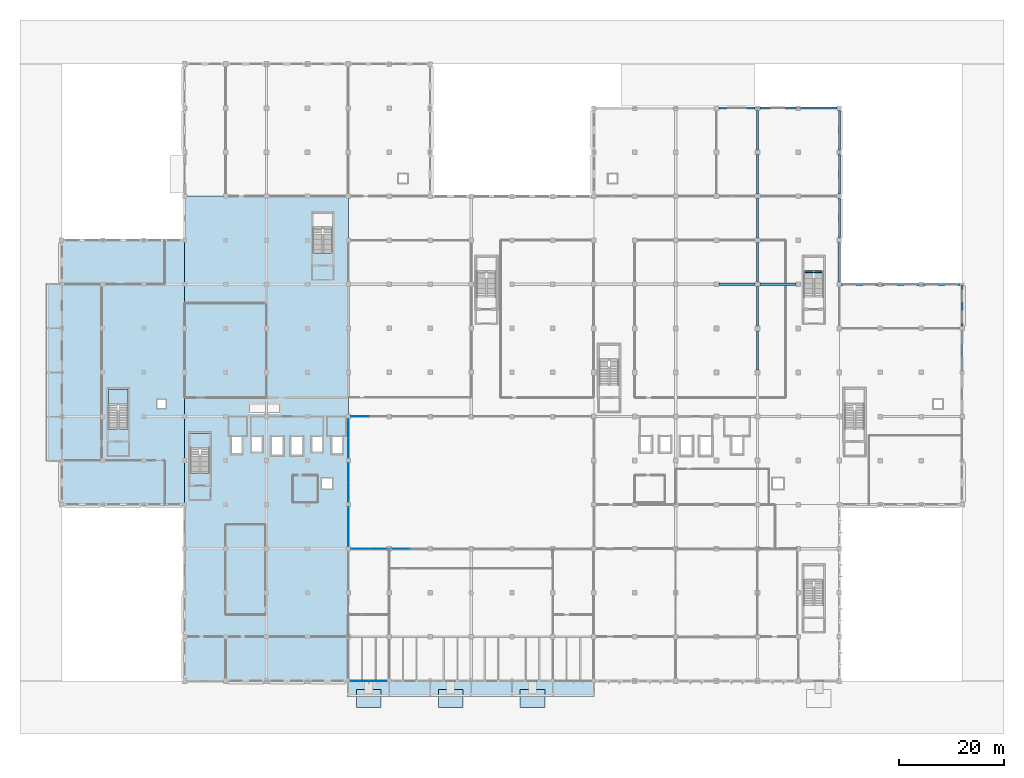
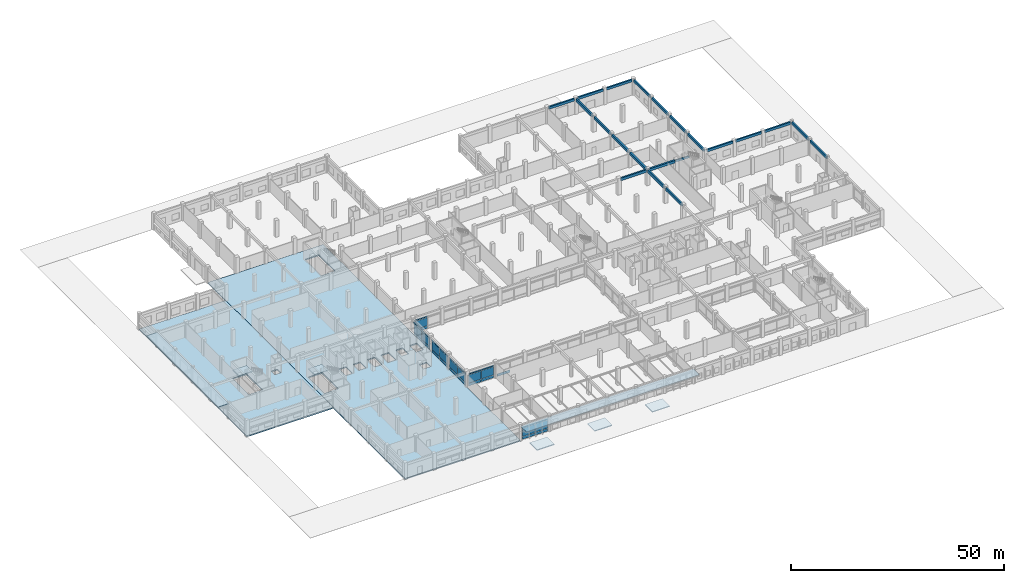
# One storey, part 40 of 74: 34 plates, 21 beams, 9 slabs, 9 elements without a shape of their own.
"""IFC4 building model written with IfcOpenShell, lengths in metres."""

from ifc_helpers import new_model, si_unit, direction, frame, origin, origin_2d, place, context, subcontext, project, spatial, polyline, rectangle, outline, extrude, material, layer, layer_set, material_profile, profile_set, type_object, element, aggregate, save


model = new_model("IFC4")

# Units and contexts
model_context = context("Model", 3, precision=1e-05, world=origin(), true_north=direction((0.0, 1.0)))
body_context = subcontext(model_context, "Body", "Model", "MODEL_VIEW")
ifc_project = project(units=[si_unit("LENGTHUNIT", "METRE"), si_unit("AREAUNIT", "SQUARE_METRE"), si_unit("VOLUMEUNIT", "CUBIC_METRE"), si_unit("PLANEANGLEUNIT", "RADIAN"), si_unit("MASSUNIT", "GRAM", prefix="KILO"), si_unit("THERMODYNAMICTEMPERATUREUNIT", "KELVIN"), si_unit("POWERUNIT", "WATT")], contexts=[model_context])

# Site, building, storey
site_placement = place(None, origin())
site = spatial("IfcSite", under=ifc_project, at=site_placement, CompositionType="ELEMENT")
building_placement = place(site_placement, origin())
building = spatial("IfcBuilding", under=site, at=building_placement, Name="Srebrne Nadtorze General Hospital", CompositionType="ELEMENT")
storey_placement = place(building_placement, origin())
storey = spatial("IfcBuildingStorey", under=building, at=storey_placement, Name="L00", CompositionType="ELEMENT", Elevation=0.0)

# Beams
ifc_material_1 = material(Name="Concrete C40/50", Category="concrete")
ifc_material_profile_1 = material_profile(ifc_material_1, rectangle(XDim=0.39990234375, YDim=0.699951171875, at=origin_2d()), Name="RC-BM-400x700")
ifc_profile_set_1 = profile_set([ifc_material_profile_1], Name="Concrete C40/50")
beam_type_1 = type_object("IfcBeamType", Name="Edge beam RC 400x700", PredefinedType="BEAM", material=ifc_profile_set_1)
beam_1_placement = place(storey_placement, frame((148.64990234375, 75.60009765625, 4.10009765625), z_axis=(1.0, 0.0, 0.0), x_axis=(0.0, 1.0, 0.0)))
element("IfcBeam", 1, at=beam_1_placement, inside=storey, type_object=beam_type_1, Name="Beam BM-L00-X-0258", PredefinedType="BEAM", context=body_context, shape_type="SweptSolid", body=[
    extrude(rectangle(XDim=0.39990234375, YDim=0.699951171875, at=origin_2d()), origin(), (0.0, 0.0, 1.0), 6.925048828125),
])
beam_2_placement = place(storey_placement, frame((156.425048828125, 75.60009765625, 4.10009765625), z_axis=(1.0, 0.0, 0.0), x_axis=(0.0, 1.0, 0.0)))
element("IfcBeam", 2, at=beam_2_placement, inside=storey, type_object=beam_type_1, Name="Beam BM-L00-X-0259", PredefinedType="BEAM", context=body_context, shape_type="SweptSolid", body=[
    extrude(rectangle(XDim=0.39990234375, YDim=0.699951171875, at=origin_2d()), origin(), (0.0, 0.0, 1.0), 6.949951171875),
])
beam_3_placement = place(storey_placement, frame((164.22509765625, 75.60009765625, 4.10009765625), z_axis=(1.0, 0.0, 0.0), x_axis=(0.0, 1.0, 0.0)))
element("IfcBeam", 3, at=beam_3_placement, inside=storey, type_object=beam_type_1, Name="Beam BM-L00-X-0260", PredefinedType="BEAM", context=body_context, shape_type="SweptSolid", body=[
    extrude(rectangle(XDim=0.39990234375, YDim=0.699951171875, at=origin_2d()), origin(), (0.0, 0.0, 1.0), 7.0),
])
for number, where, z_axis, x_axis, name in (
    (4, (125.25, 109.199951171875, 4.10009765625), (1.0, 0.0, 0.0), (0.0, 1.0, 0.0), "Beam BM-L00-X-0271"),
    (5, (133.050048828125, 109.199951171875, 4.10009765625), (1.0, 0.0, 0.0), (0.0, 1.0, 0.0), "Beam BM-L00-X-0272"),
    (6, (140.85009765625, 109.199951171875, 4.10009765625), (1.0, 0.0, 0.0), (0.0, 1.0, 0.0), "Beam BM-L00-X-0273"),
):
    element("IfcBeam", number, at=place(storey_placement, frame(where, z_axis=z_axis, x_axis=x_axis)), inside=storey, type_object=beam_type_1, Name=name, PredefinedType="BEAM", context=body_context, shape_type="SweptSolid", body=[
        extrude(rectangle(XDim=0.39990234375, YDim=0.699951171875, at=origin_2d()), origin(), (0.0, 0.0, 1.0), 6.89990234375),
    ])
for number, where, z_axis, x_axis, name in (
    (7, (148.199951171875, 76.050048828125, 4.10009765625), (0.0, 1.0, 0.0), (-1.0, 0.0, 0.0), "Beam BM-L00-Y-0357"),
    (8, (148.199951171875, 84.449951171875, 4.10009765625), (0.0, 1.0, 0.0), (-1.0, 0.0, 0.0), "Beam BM-L00-Y-0358"),
    (9, (148.199951171875, 92.85009765625, 4.10009765625), (0.0, 1.0, 0.0), (-1.0, 0.0, 0.0), "Beam BM-L00-Y-0359"),
    (10, (148.199951171875, 101.25, 4.10009765625), (0.0, 1.0, 0.0), (-1.0, 0.0, 0.0), "Beam BM-L00-Y-0360"),
):
    element("IfcBeam", number, at=place(storey_placement, frame(where, z_axis=z_axis, x_axis=x_axis)), inside=storey, type_object=beam_type_1, Name=name, PredefinedType="BEAM", context=body_context, shape_type="SweptSolid", body=[
        extrude(rectangle(XDim=0.39990234375, YDim=0.699951171875, at=origin_2d()), origin(), (0.0, 0.0, 1.0), 7.5),
    ])
beam_4_placement = place(storey_placement, frame((171.60009765625, 59.050048828125, 4.10009765625), z_axis=(0.0, 1.0, 0.0), x_axis=(-1.0, 0.0, 0.0)))
element("IfcBeam", 11, at=beam_4_placement, inside=storey, type_object=beam_type_1, Name="Beam BM-L00-Y-0364", PredefinedType="BEAM", context=body_context, shape_type="SweptSolid", body=[
    extrude(rectangle(XDim=0.39990234375, YDim=0.699951171875, at=origin_2d()), origin(), (0.0, 0.0, 1.0), 7.724853515625),
])
beam_5_placement = place(storey_placement, frame((171.60009765625, 67.625, 4.10009765625), z_axis=(0.0, 1.0, 0.0), x_axis=(-1.0, 0.0, 0.0)))
element("IfcBeam", 12, at=beam_5_placement, inside=storey, type_object=beam_type_1, Name="Beam BM-L00-Y-0365", PredefinedType="BEAM", context=body_context, shape_type="SweptSolid", body=[
    extrude(rectangle(XDim=0.39990234375, YDim=0.699951171875, at=origin_2d()), origin(), (0.0, 0.0, 1.0), 7.72509765625),
])
ifc_material_2 = material(Name="Concrete C40/50", Category="concrete")
ifc_material_profile_2 = material_profile(ifc_material_2, rectangle(XDim=0.449951171875, YDim=0.75, at=origin_2d()), Name="RC-BM-450x750")
ifc_profile_set_2 = profile_set([ifc_material_profile_2], Name="Concrete C40/50")
beam_type_2 = type_object("IfcBeamType", Name="Primary beam RC 450x750", PredefinedType="BEAM", material=ifc_profile_set_2)
for number, where, z_axis, x_axis, name in (
    (13, (125.25, 75.60009765625, 4.074951171875), (1.0, 0.0, 0.0), (0.0, 1.0, 0.0), "Beam BM-L00-X-0256"),
    (14, (133.050048828125, 75.60009765625, 4.074951171875), (1.0, 0.0, 0.0), (0.0, 1.0, 0.0), "Beam BM-L00-X-0257"),
):
    element("IfcBeam", number, at=place(storey_placement, frame(where, z_axis=z_axis, x_axis=x_axis)), inside=storey, type_object=beam_type_2, Name=name, PredefinedType="BEAM", context=body_context, shape_type="SweptSolid", body=[
        extrude(rectangle(XDim=0.449951171875, YDim=0.75, at=origin_2d()), origin(), (0.0, 0.0, 1.0), 6.89990234375),
    ])
for number, where, z_axis, x_axis, name in (
    (15, (132.60009765625, 59.25, 4.074951171875), (0.0, 1.0, 0.0), (-1.0, 0.0, 0.0), "Beam BM-L00-Y-0347"),
    (16, (132.60009765625, 67.64990234375, 4.074951171875), (0.0, 1.0, 0.0), (-1.0, 0.0, 0.0), "Beam BM-L00-Y-0348"),
    (17, (132.60009765625, 76.050048828125, 4.074951171875), (0.0, 1.0, 0.0), (-1.0, 0.0, 0.0), "Beam BM-L00-Y-0349"),
    (18, (132.60009765625, 84.449951171875, 4.074951171875), (0.0, 1.0, 0.0), (-1.0, 0.0, 0.0), "Beam BM-L00-Y-0350"),
    (19, (132.60009765625, 92.85009765625, 4.074951171875), (0.0, 1.0, 0.0), (-1.0, 0.0, 0.0), "Beam BM-L00-Y-0351"),
    (20, (132.60009765625, 101.25, 4.074951171875), (0.0, 1.0, 0.0), (-1.0, 0.0, 0.0), "Beam BM-L00-Y-0352"),
):
    element("IfcBeam", number, at=place(storey_placement, frame(where, z_axis=z_axis, x_axis=x_axis)), inside=storey, type_object=beam_type_2, Name=name, PredefinedType="BEAM", context=body_context, shape_type="SweptSolid", body=[
        extrude(rectangle(XDim=0.449951171875, YDim=0.75, at=origin_2d()), origin(), (0.0, 0.0, 1.0), 7.5),
    ])
ifc_material_3 = material(Name="Concrete C35/45", Category="concrete")
ifc_material_profile_3 = material_profile(ifc_material_3, rectangle(XDim=0.35009765625, YDim=0.550048828125, at=origin_2d()), Name="RC-BM-350x550")
ifc_profile_set_3 = profile_set([ifc_material_profile_3], Name="Concrete C35/45")
beam_type_3 = type_object("IfcBeamType", Name="Spandrel lintel beam RC 350x550", PredefinedType="LINTEL", material=ifc_profile_set_3)
beam_6_placement = place(storey_placement, frame((141.449951171875, 78.0, 2.125), z_axis=(1.0, 0.0, 0.0), x_axis=(0.0, 1.0, 0.0)))
element("IfcBeam", 21, at=beam_6_placement, inside=storey, type_object=beam_type_3, Name="Stair landing header beam ST-04 L00", PredefinedType="LINTEL", context=body_context, shape_type="SweptSolid", body=[
    extrude(rectangle(XDim=0.35009765625, YDim=0.550048828125, at=origin_2d()), origin(), (0.0, 0.0, 1.0), 3.75),
])

# Slabs
ifc_material_4 = material(Name="Concrete C35/45", Category="concrete")
ifc_layer_1 = layer(ifc_material_4, 0.18994140625)
ifc_layer_set_1 = layer_set([ifc_layer_1], Name="Concrete C35/45")
slab_type_1 = type_object("IfcSlabType", Name="Canopy roof slab 190", PredefinedType="ROOF", material=ifc_layer_set_1)
slab_1_placement = place(storey_placement, frame((0.0, 0.0, 3.89990234375)))
element("IfcSlab", 22, at=slab_1_placement, inside=storey, type_object=slab_type_1, Name="South main civic entrance canopy slab", PredefinedType="ROOF", context=body_context, shape_type="SweptSolid", body=[
    extrude(outline(polyline([(54.60009765625, -2.85009765625), (101.39990234375, -2.85009765625), (101.39990234375, 0.0), (54.60009765625, 0.0), (54.60009765625, -2.85009765625)])), origin(), (0.0, 0.0, 1.0), 0.190185546875),
])
slab_2_placement = place(storey_placement, frame((0.0, 0.0, 4.0)))
element("IfcSlab", 23, at=slab_2_placement, inside=storey, type_object=slab_type_1, Name="West emergency ambulance bay canopy slab", PredefinedType="ROOF", context=body_context, shape_type="SweptSolid", body=[
    extrude(outline(polyline([(-2.85009765625, 42.0), (0.0, 42.0), (0.0, 75.60009765625), (-2.85009765625, 75.60009765625), (-2.85009765625, 42.0)])), origin(), (0.0, 0.0, 1.0), 0.18994140625),
])

# Curtain wall, plates
ifc_material_5 = material(Name="Anodised Aluminium", Category="aluminium")
curtain_wall_type_1 = type_object("IfcCurtainWallType", Name="Unitised curtain wall 6950x3750", PredefinedType="NOTDEFINED", material=ifc_material_5)
curtain_wall_1_placement = place(storey_placement, origin())
curtain_wall_1 = element("IfcCurtainWall", 24, at=curtain_wall_1_placement, inside=storey, type_object=curtain_wall_type_1, Name="Curtain wall CW-001", PredefinedType="NOTDEFINED")
ifc_material_6 = material(Name="Triple Low-E Glazing", Category="glass")
ifc_layer_2 = layer(ifc_material_6, 0.050048828125)
ifc_layer_set_2 = layer_set([ifc_layer_2], Name="Triple Low-E Glazing")
plate_type = type_object("IfcPlateType", Name="Glazed curtain panel 50", PredefinedType="CURTAIN_PANEL", material=ifc_layer_set_2)
plate_1_placement = place(storey_placement, frame((56.77880859375, 0.0, 0.06494140625), z_axis=(0.0, 0.0, 1.0), x_axis=(1.0, 0.0, 0.0)))
plate_1 = element("IfcPlate", 25, at=plate_1_placement, type_object=plate_type, Name="CW-001 panel 1.1", PredefinedType="CURTAIN_PANEL", context=body_context, shape_type="SweptSolid", body=[
    extrude(rectangle(XDim=3.37744140625, YDim=0.050048828125, at=origin_2d()), origin(), (0.0, 0.0, 1.0), 0.75244140625),
])
plate_2_placement = place(storey_placement, frame((56.77880859375, 0.0, 0.882568359375), z_axis=(0.0, 0.0, 1.0), x_axis=(1.0, 0.0, 0.0)))
plate_2 = element("IfcPlate", 26, at=plate_2_placement, type_object=plate_type, Name="CW-001 panel 1.2", PredefinedType="CURTAIN_PANEL", context=body_context, shape_type="SweptSolid", body=[
    extrude(rectangle(XDim=3.37744140625, YDim=0.050048828125, at=origin_2d()), origin(), (0.0, 0.0, 1.0), 2.3349609375),
])
plate_3_placement = place(storey_placement, frame((56.77880859375, 0.0, 3.2822265625), z_axis=(0.0, 0.0, 1.0), x_axis=(1.0, 0.0, 0.0)))
plate_3 = element("IfcPlate", 27, at=plate_3_placement, type_object=plate_type, Name="CW-001 panel 1.3", PredefinedType="CURTAIN_PANEL", context=body_context, shape_type="SweptSolid", body=[
    extrude(rectangle(XDim=3.37744140625, YDim=0.050048828125, at=origin_2d()), origin(), (0.0, 0.0, 1.0), 0.402587890625),
])
plate_4_placement = place(storey_placement, frame((60.22119140625, 0.0, 0.06494140625), z_axis=(0.0, 0.0, 1.0), x_axis=(1.0, 0.0, 0.0)))
plate_4 = element("IfcPlate", 28, at=plate_4_placement, type_object=plate_type, Name="CW-001 panel 2.1", PredefinedType="CURTAIN_PANEL", context=body_context, shape_type="SweptSolid", body=[
    extrude(rectangle(XDim=3.37744140625, YDim=0.050048828125, at=origin_2d()), origin(), (0.0, 0.0, 1.0), 0.75244140625),
])
plate_5_placement = place(storey_placement, frame((60.22119140625, 0.0, 0.882568359375), z_axis=(0.0, 0.0, 1.0), x_axis=(1.0, 0.0, 0.0)))
plate_5 = element("IfcPlate", 29, at=plate_5_placement, type_object=plate_type, Name="CW-001 panel 2.2", PredefinedType="CURTAIN_PANEL", context=body_context, shape_type="SweptSolid", body=[
    extrude(rectangle(XDim=3.37744140625, YDim=0.050048828125, at=origin_2d()), origin(), (0.0, 0.0, 1.0), 2.3349609375),
])
plate_6_placement = place(storey_placement, frame((60.22119140625, 0.0, 3.2822265625), z_axis=(0.0, 0.0, 1.0), x_axis=(1.0, 0.0, 0.0)))
plate_6 = element("IfcPlate", 30, at=plate_6_placement, type_object=plate_type, Name="CW-001 panel 2.3", PredefinedType="CURTAIN_PANEL", context=body_context, shape_type="SweptSolid", body=[
    extrude(rectangle(XDim=3.37744140625, YDim=0.050048828125, at=origin_2d()), origin(), (0.0, 0.0, 1.0), 0.402587890625),
])
aggregate(curtain_wall_1, [plate_1, plate_2, plate_3, plate_4, plate_5, plate_6])

ifc_material_7 = material(Name="Anodised Aluminium", Category="aluminium")
curtain_wall_type_2 = type_object("IfcCurtainWallType", Name="Unitised curtain wall 6925x3750", PredefinedType="NOTDEFINED", material=ifc_material_7)
curtain_wall_2_placement = place(storey_placement, origin())
curtain_wall_2 = element("IfcCurtainWall", 31, at=curtain_wall_2_placement, inside=storey, type_object=curtain_wall_type_2, Name="Curtain wall CW-005", PredefinedType="NOTDEFINED")
plate_7_placement = place(storey_placement, frame((56.797607421875, 25.199951171875, 0.06494140625), z_axis=(0.0, 0.0, 1.0), x_axis=(1.0, 0.0, 0.0)))
plate_7 = element("IfcPlate", 32, at=plate_7_placement, type_object=plate_type, Name="CW-005 panel 1.1", PredefinedType="CURTAIN_PANEL", context=body_context, shape_type="SweptSolid", body=[
    extrude(rectangle(XDim=3.364990234375, YDim=0.050048828125, at=origin_2d()), origin(), (0.0, 0.0, 1.0), 0.75244140625),
])
plate_8_placement = place(storey_placement, frame((56.797607421875, 25.199951171875, 0.882568359375), z_axis=(0.0, 0.0, 1.0), x_axis=(1.0, 0.0, 0.0)))
plate_8 = element("IfcPlate", 33, at=plate_8_placement, type_object=plate_type, Name="CW-005 panel 1.2", PredefinedType="CURTAIN_PANEL", context=body_context, shape_type="SweptSolid", body=[
    extrude(rectangle(XDim=3.364990234375, YDim=0.050048828125, at=origin_2d()), origin(), (0.0, 0.0, 1.0), 2.3349609375),
])
plate_9_placement = place(storey_placement, frame((56.797607421875, 25.199951171875, 3.2822265625), z_axis=(0.0, 0.0, 1.0), x_axis=(1.0, 0.0, 0.0)))
plate_9 = element("IfcPlate", 34, at=plate_9_placement, type_object=plate_type, Name="CW-005 panel 1.3", PredefinedType="CURTAIN_PANEL", context=body_context, shape_type="SweptSolid", body=[
    extrude(rectangle(XDim=3.364990234375, YDim=0.050048828125, at=origin_2d()), origin(), (0.0, 0.0, 1.0), 0.402587890625),
])
plate_10_placement = place(storey_placement, frame((60.2275390625, 25.199951171875, 0.06494140625), z_axis=(0.0, 0.0, 1.0), x_axis=(1.0, 0.0, 0.0)))
plate_10 = element("IfcPlate", 35, at=plate_10_placement, type_object=plate_type, Name="CW-005 panel 2.1", PredefinedType="CURTAIN_PANEL", context=body_context, shape_type="SweptSolid", body=[
    extrude(rectangle(XDim=3.364990234375, YDim=0.050048828125, at=origin_2d()), origin(), (0.0, 0.0, 1.0), 0.75244140625),
])
plate_11_placement = place(storey_placement, frame((60.2275390625, 25.199951171875, 0.882568359375), z_axis=(0.0, 0.0, 1.0), x_axis=(1.0, 0.0, 0.0)))
plate_11 = element("IfcPlate", 36, at=plate_11_placement, type_object=plate_type, Name="CW-005 panel 2.2", PredefinedType="CURTAIN_PANEL", context=body_context, shape_type="SweptSolid", body=[
    extrude(rectangle(XDim=3.364990234375, YDim=0.050048828125, at=origin_2d()), origin(), (0.0, 0.0, 1.0), 2.3349609375),
])
plate_12_placement = place(storey_placement, frame((60.2275390625, 25.199951171875, 3.2822265625), z_axis=(0.0, 0.0, 1.0), x_axis=(1.0, 0.0, 0.0)))
plate_12 = element("IfcPlate", 37, at=plate_12_placement, type_object=plate_type, Name="CW-005 panel 2.3", PredefinedType="CURTAIN_PANEL", context=body_context, shape_type="SweptSolid", body=[
    extrude(rectangle(XDim=3.364990234375, YDim=0.050048828125, at=origin_2d()), origin(), (0.0, 0.0, 1.0), 0.402587890625),
])
aggregate(curtain_wall_2, [plate_7, plate_8, plate_9, plate_10, plate_11, plate_12])

# Curtain wall, plate
curtain_wall_3_placement = place(storey_placement, origin())
curtain_wall_3 = element("IfcCurtainWall", 38, at=curtain_wall_3_placement, inside=storey, type_object=curtain_wall_type_1, Name="Curtain wall CW-006", PredefinedType="NOTDEFINED")
plate_13_placement = place(storey_placement, frame((64.577392578125, 25.199951171875, 0.06005859375), z_axis=(0.0, 0.0, 1.0), x_axis=(1.0, 0.0, 0.0)))
plate_13 = element("IfcPlate", 39, at=plate_13_placement, type_object=plate_type, Name="CW-006 panel 1.1", PredefinedType="CURTAIN_PANEL", context=body_context, shape_type="SweptSolid", body=[
    extrude(rectangle(XDim=3.385009765625, YDim=0.050048828125, at=origin_2d()), origin(), (0.0, 0.0, 1.0), 0.760009765625),
])
aggregate(curtain_wall_3, [plate_13])

# Curtain wall, plates
curtain_wall_4_placement = place(storey_placement, origin())
curtain_wall_4 = element("IfcCurtainWall", 40, at=curtain_wall_4_placement, inside=storey, type_object=curtain_wall_type_2, Name="Curtain wall CW-013", PredefinedType="NOTDEFINED")
plate_14_placement = place(storey_placement, frame((56.797607421875, 50.39990234375, 0.06494140625), z_axis=(0.0, 0.0, 1.0), x_axis=(1.0, 0.0, 0.0)))
plate_14 = element("IfcPlate", 41, at=plate_14_placement, type_object=plate_type, Name="CW-013 panel 1.1", PredefinedType="CURTAIN_PANEL", context=body_context, shape_type="SweptSolid", body=[
    extrude(rectangle(XDim=3.364990234375, YDim=0.050048828125, at=origin_2d()), origin(), (0.0, 0.0, 1.0), 0.75244140625),
])
plate_15_placement = place(storey_placement, frame((56.797607421875, 50.39990234375, 0.882568359375), z_axis=(0.0, 0.0, 1.0), x_axis=(1.0, 0.0, 0.0)))
plate_15 = element("IfcPlate", 42, at=plate_15_placement, type_object=plate_type, Name="CW-013 panel 1.2", PredefinedType="CURTAIN_PANEL", context=body_context, shape_type="SweptSolid", body=[
    extrude(rectangle(XDim=3.364990234375, YDim=0.050048828125, at=origin_2d()), origin(), (0.0, 0.0, 1.0), 2.3349609375),
])
plate_16_placement = place(storey_placement, frame((56.797607421875, 50.39990234375, 3.2822265625), z_axis=(0.0, 0.0, 1.0), x_axis=(1.0, 0.0, 0.0)))
plate_16 = element("IfcPlate", 43, at=plate_16_placement, type_object=plate_type, Name="CW-013 panel 1.3", PredefinedType="CURTAIN_PANEL", context=body_context, shape_type="SweptSolid", body=[
    extrude(rectangle(XDim=3.364990234375, YDim=0.050048828125, at=origin_2d()), origin(), (0.0, 0.0, 1.0), 0.402587890625),
])
aggregate(curtain_wall_4, [plate_14, plate_15, plate_16])

ifc_material_8 = material(Name="Anodised Aluminium", Category="aluminium")
curtain_wall_type_3 = type_object("IfcCurtainWallType", Name="Unitised curtain wall 7500x3750", PredefinedType="NOTDEFINED", material=ifc_material_8)
curtain_wall_5_placement = place(storey_placement, origin())
curtain_wall_5 = element("IfcCurtainWall", 44, at=curtain_wall_5_placement, inside=storey, type_object=curtain_wall_type_3, Name="Curtain wall CW-019", PredefinedType="NOTDEFINED")
plate_17_placement = place(storey_placement, frame((54.60009765625, 27.541259765625, 0.06494140625), z_axis=(0.0, 0.0, 1.0), x_axis=(0.0, 1.0, 0.0)))
plate_17 = element("IfcPlate", 45, at=plate_17_placement, type_object=plate_type, Name="CW-019 panel 1.1", PredefinedType="CURTAIN_PANEL", context=body_context, shape_type="SweptSolid", body=[
    extrude(rectangle(XDim=3.652587890625, YDim=0.050048828125, at=origin_2d()), origin(), (0.0, 0.0, 1.0), 0.75244140625),
])
plate_18_placement = place(storey_placement, frame((54.60009765625, 27.541259765625, 0.882568359375), z_axis=(0.0, 0.0, 1.0), x_axis=(0.0, 1.0, 0.0)))
plate_18 = element("IfcPlate", 46, at=plate_18_placement, type_object=plate_type, Name="CW-019 panel 1.2", PredefinedType="CURTAIN_PANEL", context=body_context, shape_type="SweptSolid", body=[
    extrude(rectangle(XDim=3.652587890625, YDim=0.050048828125, at=origin_2d()), origin(), (0.0, 0.0, 1.0), 2.3349609375),
])
plate_19_placement = place(storey_placement, frame((54.60009765625, 27.541259765625, 3.2822265625), z_axis=(0.0, 0.0, 1.0), x_axis=(0.0, 1.0, 0.0)))
plate_19 = element("IfcPlate", 47, at=plate_19_placement, type_object=plate_type, Name="CW-019 panel 1.3", PredefinedType="CURTAIN_PANEL", context=body_context, shape_type="SweptSolid", body=[
    extrude(rectangle(XDim=3.652587890625, YDim=0.050048828125, at=origin_2d()), origin(), (0.0, 0.0, 1.0), 0.402587890625),
])
plate_20_placement = place(storey_placement, frame((54.60009765625, 31.2587890625, 0.06494140625), z_axis=(0.0, 0.0, 1.0), x_axis=(0.0, 1.0, 0.0)))
plate_20 = element("IfcPlate", 48, at=plate_20_placement, type_object=plate_type, Name="CW-019 panel 2.1", PredefinedType="CURTAIN_PANEL", context=body_context, shape_type="SweptSolid", body=[
    extrude(rectangle(XDim=3.652587890625, YDim=0.050048828125, at=origin_2d()), origin(), (0.0, 0.0, 1.0), 0.75244140625),
])
plate_21_placement = place(storey_placement, frame((54.60009765625, 31.2587890625, 0.882568359375), z_axis=(0.0, 0.0, 1.0), x_axis=(0.0, 1.0, 0.0)))
plate_21 = element("IfcPlate", 49, at=plate_21_placement, type_object=plate_type, Name="CW-019 panel 2.2", PredefinedType="CURTAIN_PANEL", context=body_context, shape_type="SweptSolid", body=[
    extrude(rectangle(XDim=3.652587890625, YDim=0.050048828125, at=origin_2d()), origin(), (0.0, 0.0, 1.0), 2.3349609375),
])
plate_22_placement = place(storey_placement, frame((54.60009765625, 31.2587890625, 3.2822265625), z_axis=(0.0, 0.0, 1.0), x_axis=(0.0, 1.0, 0.0)))
plate_22 = element("IfcPlate", 50, at=plate_22_placement, type_object=plate_type, Name="CW-019 panel 2.3", PredefinedType="CURTAIN_PANEL", context=body_context, shape_type="SweptSolid", body=[
    extrude(rectangle(XDim=3.652587890625, YDim=0.050048828125, at=origin_2d()), origin(), (0.0, 0.0, 1.0), 0.402587890625),
])
aggregate(curtain_wall_5, [plate_17, plate_18, plate_19, plate_20, plate_21, plate_22])

curtain_wall_6_placement = place(storey_placement, origin())
curtain_wall_6 = element("IfcCurtainWall", 51, at=curtain_wall_6_placement, inside=storey, type_object=curtain_wall_type_3, Name="Curtain wall CW-020", PredefinedType="NOTDEFINED")
plate_23_placement = place(storey_placement, frame((54.60009765625, 35.93994140625, 0.06005859375), z_axis=(0.0, 0.0, 1.0), x_axis=(0.0, 1.0, 0.0)))
plate_23 = element("IfcPlate", 52, at=plate_23_placement, type_object=plate_type, Name="CW-020 panel 1.1", PredefinedType="CURTAIN_PANEL", context=body_context, shape_type="SweptSolid", body=[
    extrude(rectangle(XDim=3.659912109375, YDim=0.050048828125, at=origin_2d()), origin(), (0.0, 0.0, 1.0), 0.760009765625),
])
plate_24_placement = place(storey_placement, frame((54.60009765625, 35.93994140625, 0.8798828125), z_axis=(0.0, 0.0, 1.0), x_axis=(0.0, 1.0, 0.0)))
plate_24 = element("IfcPlate", 53, at=plate_24_placement, type_object=plate_type, Name="CW-020 panel 1.2", PredefinedType="CURTAIN_PANEL", context=body_context, shape_type="SweptSolid", body=[
    extrude(rectangle(XDim=3.659912109375, YDim=0.050048828125, at=origin_2d()), origin(), (0.0, 0.0, 1.0), 2.340087890625),
])
plate_25_placement = place(storey_placement, frame((54.60009765625, 35.93994140625, 3.2802734375), z_axis=(0.0, 0.0, 1.0), x_axis=(0.0, 1.0, 0.0)))
plate_25 = element("IfcPlate", 54, at=plate_25_placement, type_object=plate_type, Name="CW-020 panel 1.3", PredefinedType="CURTAIN_PANEL", context=body_context, shape_type="SweptSolid", body=[
    extrude(rectangle(XDim=3.659912109375, YDim=0.050048828125, at=origin_2d()), origin(), (0.0, 0.0, 1.0), 0.409912109375),
])
plate_26_placement = place(storey_placement, frame((54.60009765625, 39.659912109375, 0.06005859375), z_axis=(0.0, 0.0, 1.0), x_axis=(0.0, 1.0, 0.0)))
plate_26 = element("IfcPlate", 55, at=plate_26_placement, type_object=plate_type, Name="CW-020 panel 2.1", PredefinedType="CURTAIN_PANEL", context=body_context, shape_type="SweptSolid", body=[
    extrude(rectangle(XDim=3.659912109375, YDim=0.050048828125, at=origin_2d()), origin(), (0.0, 0.0, 1.0), 0.760009765625),
])
plate_27_placement = place(storey_placement, frame((54.60009765625, 39.659912109375, 0.8798828125), z_axis=(0.0, 0.0, 1.0), x_axis=(0.0, 1.0, 0.0)))
plate_27 = element("IfcPlate", 56, at=plate_27_placement, type_object=plate_type, Name="CW-020 panel 2.2", PredefinedType="CURTAIN_PANEL", context=body_context, shape_type="SweptSolid", body=[
    extrude(rectangle(XDim=3.659912109375, YDim=0.050048828125, at=origin_2d()), origin(), (0.0, 0.0, 1.0), 2.340087890625),
])
plate_28_placement = place(storey_placement, frame((54.60009765625, 39.659912109375, 3.2802734375), z_axis=(0.0, 0.0, 1.0), x_axis=(0.0, 1.0, 0.0)))
plate_28 = element("IfcPlate", 57, at=plate_28_placement, type_object=plate_type, Name="CW-020 panel 2.3", PredefinedType="CURTAIN_PANEL", context=body_context, shape_type="SweptSolid", body=[
    extrude(rectangle(XDim=3.659912109375, YDim=0.050048828125, at=origin_2d()), origin(), (0.0, 0.0, 1.0), 0.409912109375),
])
aggregate(curtain_wall_6, [plate_23, plate_24, plate_25, plate_26, plate_27, plate_28])

curtain_wall_7_placement = place(storey_placement, origin())
curtain_wall_7 = element("IfcCurtainWall", 58, at=curtain_wall_7_placement, inside=storey, type_object=curtain_wall_type_3, Name="Curtain wall CW-021", PredefinedType="NOTDEFINED")
plate_29_placement = place(storey_placement, frame((54.60009765625, 44.34130859375, 0.06494140625), z_axis=(0.0, 0.0, 1.0), x_axis=(0.0, 1.0, 0.0)))
plate_29 = element("IfcPlate", 59, at=plate_29_placement, type_object=plate_type, Name="CW-021 panel 1.1", PredefinedType="CURTAIN_PANEL", context=body_context, shape_type="SweptSolid", body=[
    extrude(rectangle(XDim=3.652587890625, YDim=0.050048828125, at=origin_2d()), origin(), (0.0, 0.0, 1.0), 0.75244140625),
])
plate_30_placement = place(storey_placement, frame((54.60009765625, 44.34130859375, 0.882568359375), z_axis=(0.0, 0.0, 1.0), x_axis=(0.0, 1.0, 0.0)))
plate_30 = element("IfcPlate", 60, at=plate_30_placement, type_object=plate_type, Name="CW-021 panel 1.2", PredefinedType="CURTAIN_PANEL", context=body_context, shape_type="SweptSolid", body=[
    extrude(rectangle(XDim=3.652587890625, YDim=0.050048828125, at=origin_2d()), origin(), (0.0, 0.0, 1.0), 2.3349609375),
])
plate_31_placement = place(storey_placement, frame((54.60009765625, 44.34130859375, 3.2822265625), z_axis=(0.0, 0.0, 1.0), x_axis=(0.0, 1.0, 0.0)))
plate_31 = element("IfcPlate", 61, at=plate_31_placement, type_object=plate_type, Name="CW-021 panel 1.3", PredefinedType="CURTAIN_PANEL", context=body_context, shape_type="SweptSolid", body=[
    extrude(rectangle(XDim=3.652587890625, YDim=0.050048828125, at=origin_2d()), origin(), (0.0, 0.0, 1.0), 0.402587890625),
])
plate_32_placement = place(storey_placement, frame((54.60009765625, 48.058837890625, 0.06494140625), z_axis=(0.0, 0.0, 1.0), x_axis=(0.0, 1.0, 0.0)))
plate_32 = element("IfcPlate", 62, at=plate_32_placement, type_object=plate_type, Name="CW-021 panel 2.1", PredefinedType="CURTAIN_PANEL", context=body_context, shape_type="SweptSolid", body=[
    extrude(rectangle(XDim=3.652587890625, YDim=0.050048828125, at=origin_2d()), origin(), (0.0, 0.0, 1.0), 0.75244140625),
])
plate_33_placement = place(storey_placement, frame((54.60009765625, 48.058837890625, 0.882568359375), z_axis=(0.0, 0.0, 1.0), x_axis=(0.0, 1.0, 0.0)))
plate_33 = element("IfcPlate", 63, at=plate_33_placement, type_object=plate_type, Name="CW-021 panel 2.2", PredefinedType="CURTAIN_PANEL", context=body_context, shape_type="SweptSolid", body=[
    extrude(rectangle(XDim=3.652587890625, YDim=0.050048828125, at=origin_2d()), origin(), (0.0, 0.0, 1.0), 2.3349609375),
])
plate_34_placement = place(storey_placement, frame((54.60009765625, 48.058837890625, 3.2822265625), z_axis=(0.0, 0.0, 1.0), x_axis=(0.0, 1.0, 0.0)))
plate_34 = element("IfcPlate", 64, at=plate_34_placement, type_object=plate_type, Name="CW-021 panel 2.3", PredefinedType="CURTAIN_PANEL", context=body_context, shape_type="SweptSolid", body=[
    extrude(rectangle(XDim=3.652587890625, YDim=0.050048828125, at=origin_2d()), origin(), (0.0, 0.0, 1.0), 0.402587890625),
])
aggregate(curtain_wall_7, [plate_29, plate_30, plate_31, plate_32, plate_33, plate_34])

# Stair, slab
ifc_material_9 = material(Name="Concrete C35/45", Category="concrete")
stair_type = type_object("IfcStairType", Name="Dog-leg escape stair 480", PredefinedType="HALF_TURN_STAIR", material=ifc_material_9)
stair_1_placement = place(storey_placement, origin())
stair_1 = element("IfcStair", 65, at=stair_1_placement, inside=storey, type_object=stair_type, Name="Escape stair ST-01-L00", PredefinedType="HALF_TURN_STAIR")
ifc_material_10 = material(Name="Concrete C35/45", Category="concrete")
ifc_layer_3 = layer(ifc_material_10, 0.219970703125)
ifc_layer_set_3 = layer_set([ifc_layer_3], Name="Concrete C35/45")
slab_type_2 = type_object("IfcSlabType", Name="Stair landing slab 220", PredefinedType="LANDING", material=ifc_layer_set_3)
slab_3_placement = place(storey_placement, frame((0.0, 0.0, 2.179931640625)))
slab_3 = element("IfcSlab", 66, at=slab_3_placement, type_object=slab_type_2, Name="ST-01 landing 1", PredefinedType="LANDING", context=body_context, shape_type="SweptSolid", body=[
    extrude(outline(polyline([(24.449951171875, 44.39990234375), (28.199951171875, 44.39990234375), (28.199951171875, 47.199951171875), (24.449951171875, 47.199951171875), (24.449951171875, 44.39990234375)])), origin(), (0.0, 0.0, 1.0), 0.219970703125),
])
aggregate(stair_1, [slab_3])

stair_2_placement = place(storey_placement, origin())
stair_2 = element("IfcStair", 67, at=stair_2_placement, inside=storey, type_object=stair_type, Name="Escape stair ST-05-L00", PredefinedType="HALF_TURN_STAIR")
slab_4_placement = place(storey_placement, frame((0.0, 0.0, 2.179931640625)))
slab_4 = element("IfcSlab", 68, at=slab_4_placement, type_object=slab_type_2, Name="ST-05 landing 1", PredefinedType="LANDING", context=body_context, shape_type="SweptSolid", body=[
    extrude(outline(polyline([(8.85009765625, 52.800048828125), (12.60009765625, 52.800048828125), (12.60009765625, 55.60009765625), (8.85009765625, 55.60009765625), (8.85009765625, 52.800048828125)])), origin(), (0.0, 0.0, 1.0), 0.219970703125),
])
aggregate(stair_2, [slab_4])

# Slabs
slab_5_placement = place(storey_placement, frame((0.0, 0.0, -0.419921875)))
element("IfcSlab", 69, at=slab_5_placement, inside=storey, type_object=slab_type_2, Name="Accessible ramp approach landing 1", PredefinedType="LANDING", context=body_context, shape_type="SweptSolid", body=[
    extrude(outline(polyline([(56.14990234375, -5.10009765625), (60.85009765625, -5.10009765625), (60.85009765625, -1.64990234375), (56.14990234375, -1.64990234375), (56.14990234375, -5.10009765625)])), origin(), (0.0, 0.0, 1.0), 0.219970703125),
])
slab_6_placement = place(storey_placement, frame((0.0, 0.0, -0.419921875)))
element("IfcSlab", 70, at=slab_6_placement, inside=storey, type_object=slab_type_2, Name="Accessible ramp approach landing 2", PredefinedType="LANDING", context=body_context, shape_type="SweptSolid", body=[
    extrude(outline(polyline([(71.75, -5.10009765625), (76.449951171875, -5.10009765625), (76.449951171875, -1.64990234375), (71.75, -1.64990234375), (71.75, -5.10009765625)])), origin(), (0.0, 0.0, 1.0), 0.219970703125),
])
slab_7_placement = place(storey_placement, frame((0.0, 0.0, -0.419921875)))
element("IfcSlab", 71, at=slab_7_placement, inside=storey, type_object=slab_type_2, Name="Accessible ramp approach landing 3", PredefinedType="LANDING", context=body_context, shape_type="SweptSolid", body=[
    extrude(outline(polyline([(87.35009765625, -5.10009765625), (92.050048828125, -5.10009765625), (92.050048828125, -1.64990234375), (87.35009765625, -1.64990234375), (87.35009765625, -5.10009765625)])), origin(), (0.0, 0.0, 1.0), 0.219970703125),
])
ifc_material_11 = material(Name="Concrete C35/45", Category="concrete")
ifc_layer_4 = layer(ifc_material_11, 0.35009765625)
ifc_layer_set_4 = layer_set([ifc_layer_4], Name="Concrete C35/45")
slab_type_3 = type_object("IfcSlabType", Name="Suspended floor slab 350", PredefinedType="FLOOR", material=ifc_layer_set_4)
slab_8_placement = place(storey_placement, frame((0.0, 0.0, -0.35009765625)))
element("IfcSlab", 72, at=slab_8_placement, inside=storey, type_object=slab_type_3, Name="Suspended floor slab SL-L00-W", PredefinedType="FLOOR", context=body_context, shape_type="SweptSolid", body=[
    extrude(outline(polyline([(54.60009765625, 25.199951171875), (54.60009765625, 50.39990234375), (54.60009765625, 92.39990234375), (23.39990234375, 92.39990234375), (23.39990234375, 0.0), (54.60009765625, 0.0), (54.60009765625, 25.199951171875)]), holes=[polyline([(51.5, 36.60009765625), (49.5, 36.60009765625), (49.5, 38.60009765625), (51.5, 38.60009765625), (51.5, 36.60009765625)]), polyline([(24.449951171875, 39.60498046875), (24.449951171875, 47.199951171875), (28.199951171875, 47.199951171875), (28.199951171875, 39.60498046875), (24.449951171875, 39.60498046875)]), polyline([(42.10009765625, 43.110107421875), (40.0, 43.110107421875), (40.0, 46.4599609375), (42.10009765625, 46.4599609375), (42.10009765625, 43.110107421875)]), polyline([(43.699951171875, 43.110107421875), (43.699951171875, 46.4599609375), (45.800048828125, 46.4599609375), (45.800048828125, 43.110107421875), (43.699951171875, 43.110107421875)]), polyline([(32.35009765625, 43.409912109375), (32.35009765625, 46.4599609375), (34.25, 46.4599609375), (34.25, 43.409912109375), (32.35009765625, 43.409912109375)]), polyline([(53.39990234375, 43.409912109375), (51.5, 43.409912109375), (51.5, 46.4599609375), (53.39990234375, 46.4599609375), (53.39990234375, 43.409912109375)]), polyline([(36.199951171875, 43.7099609375), (36.199951171875, 46.4599609375), (38.10009765625, 46.4599609375), (38.10009765625, 43.7099609375), (36.199951171875, 43.7099609375)]), polyline([(47.699951171875, 43.7099609375), (47.699951171875, 46.4599609375), (49.60009765625, 46.4599609375), (49.60009765625, 43.7099609375), (47.699951171875, 43.7099609375)]), polyline([(47.85009765625, 81.60498046875), (47.85009765625, 89.199951171875), (51.60009765625, 89.199951171875), (51.60009765625, 81.60498046875), (47.85009765625, 81.60498046875)])]), origin(), (0.0, 0.0, 1.0), 0.35009765625),
])
slab_9_placement = place(storey_placement, frame((0.0, 0.0, -0.35009765625)))
element("IfcSlab", 73, at=slab_9_placement, inside=storey, type_object=slab_type_3, Name="Suspended floor slab SL-L00-EMG", PredefinedType="FLOOR", context=body_context, shape_type="SweptSolid", body=[
    extrude(outline(polyline([(23.39990234375, 33.60009765625), (23.39990234375, 84.0), (0.0, 84.0), (0.0, 33.60009765625), (23.39990234375, 33.60009765625)]), holes=[polyline([(8.85009765625, 48.0048828125), (8.85009765625, 55.60009765625), (12.60009765625, 55.60009765625), (12.60009765625, 48.0048828125), (8.85009765625, 48.0048828125)]), polyline([(18.199951171875, 52.0), (18.199951171875, 53.60009765625), (19.800048828125, 53.60009765625), (19.800048828125, 52.0), (18.199951171875, 52.0)])]), origin(), (0.0, 0.0, 1.0), 0.35009765625),
])

save(model, "model.ifc")
